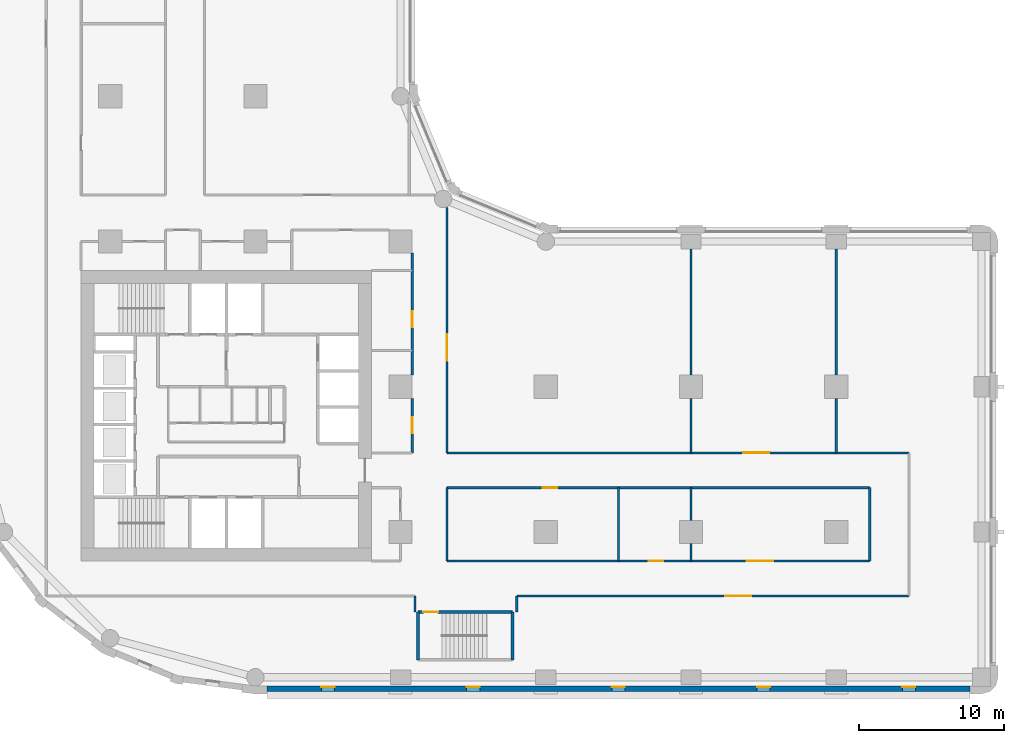
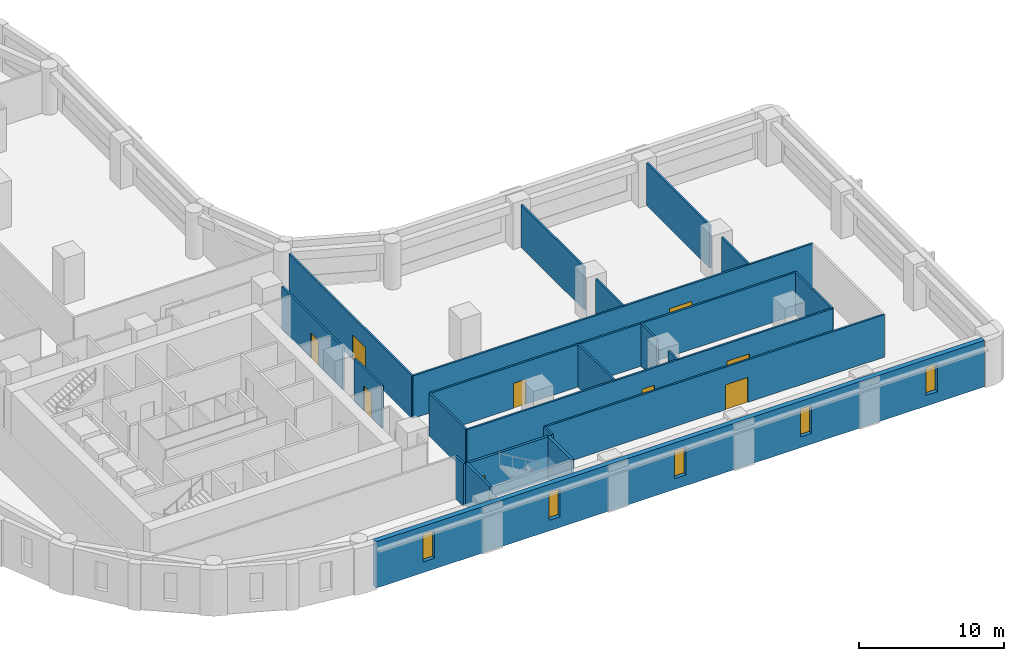
# One storey, part 4 of 10: 22 walls, 9 doors, 5 windows, 14 openings.
"""IFC4 building model written with IfcOpenShell, lengths in metres."""

from ifc_helpers import new_model, si_unit, direction, frame, frame_2d, origin, place, context, subcontext, project, spatial, rectangle, extrude, material, layer, layer_set, type_object, element, fill, save


model = new_model("IFC4")

# Units and contexts
model_context = context("Model", 3, precision=1e-05, world=origin(), true_north=direction((0.0, 1.0)))
body_context = subcontext(model_context, "Body", "Model", "MODEL_VIEW")
ifc_project = project(units=[si_unit("LENGTHUNIT", "METRE"), si_unit("AREAUNIT", "SQUARE_METRE"), si_unit("VOLUMEUNIT", "CUBIC_METRE"), si_unit("PLANEANGLEUNIT", "RADIAN"), si_unit("MASSUNIT", "GRAM", prefix="KILO")], contexts=[model_context])

# Site, building, storey
site_placement = place(None, origin())
site = spatial("IfcSite", under=ifc_project, at=site_placement, CompositionType="ELEMENT")
building_placement = place(site_placement, origin())
building = spatial("IfcBuilding", under=site, at=building_placement, Name="Qaws Garden Tower", CompositionType="ELEMENT")
storey_placement = place(building_placement, frame((0.0, 0.0, 35.39990234375)))
storey = spatial("IfcBuildingStorey", under=building, at=storey_placement, Name="L08", CompositionType="ELEMENT", Elevation=35.39990234375)

# Wall, openings, windows
ifc_material_1 = material(Name="Clay facing brick masonry", Category="masonry")
ifc_layer_1 = layer(ifc_material_1, 0.39990234375)
ifc_layer_set_1 = layer_set([ifc_layer_1], Name="Clay facing brick masonry")
wall_type_1 = type_object("IfcWallType", Name="Brick infill wall 400", PredefinedType="SOLIDWALL", material=ifc_layer_set_1)
wall_1_placement = place(storey_placement, frame((20.800048828125, -0.800048828125, 0.0), z_axis=(0.0, 0.0, 1.0), x_axis=(1.0, 0.0, 0.0)))
wall_1 = element("IfcWall", 1, at=wall_1_placement, inside=storey, type_object=wall_type_1, Name="E-L08-infill-00", PredefinedType="SOLIDWALL", context=body_context, shape_type="SweptSolid", body=[
    extrude(rectangle(XDim=48.39990234375, YDim=0.39990234375, at=frame_2d((24.199951171875, 0.0))), origin(), (0.0, 0.0, 1.0), 3.900146484375),
])
opening_1_placement = place(wall_1_placement, frame((3.75, 0.0, 0.89990234375)))
opening_1 = element("IfcOpeningElement", 2, at=opening_1_placement, cuts=wall_1, Name="Opening W09", PredefinedType="OPENING", context=body_context, shape_type="SweptSolid", body=[
    extrude(rectangle(XDim=0.89990234375, YDim=2.35009765625, at=frame_2d((0.449951171875, 1.175048828125))), frame((0.0, 0.2099609375, 0.0), z_axis=(0.0, -1.0, 0.0), x_axis=(1.0, 0.0, 0.0)), (0.0, 0.0, 1.0), 0.419921875),
])
opening_2_placement = place(wall_1_placement, frame((13.75, 0.0, 0.89990234375)))
opening_2 = element("IfcOpeningElement", 3, at=opening_2_placement, cuts=wall_1, Name="Opening W09", PredefinedType="OPENING", context=body_context, shape_type="SweptSolid", body=[
    extrude(rectangle(XDim=0.89990234375, YDim=2.35009765625, at=frame_2d((0.449951171875, 1.175048828125))), frame((0.0, 0.2099609375, 0.0), z_axis=(0.0, -1.0, 0.0), x_axis=(1.0, 0.0, 0.0)), (0.0, 0.0, 1.0), 0.419921875),
])
opening_3_placement = place(wall_1_placement, frame((23.75, 0.0, 0.89990234375)))
opening_3 = element("IfcOpeningElement", 4, at=opening_3_placement, cuts=wall_1, Name="Opening W09", PredefinedType="OPENING", context=body_context, shape_type="SweptSolid", body=[
    extrude(rectangle(XDim=0.89990234375, YDim=2.35009765625, at=frame_2d((0.449951171875, 1.175048828125))), frame((0.0, 0.2099609375, 0.0), z_axis=(0.0, -1.0, 0.0), x_axis=(1.0, 0.0, 0.0)), (0.0, 0.0, 1.0), 0.419921875),
])
opening_4_placement = place(wall_1_placement, frame((33.75, 0.0, 0.89990234375)))
opening_4 = element("IfcOpeningElement", 5, at=opening_4_placement, cuts=wall_1, Name="Opening W09", PredefinedType="OPENING", context=body_context, shape_type="SweptSolid", body=[
    extrude(rectangle(XDim=0.89990234375, YDim=2.35009765625, at=frame_2d((0.449951171875, 1.175048828125))), frame((0.0, 0.2099609375, 0.0), z_axis=(0.0, -1.0, 0.0), x_axis=(1.0, 0.0, 0.0)), (0.0, 0.0, 1.0), 0.419921875),
])
opening_5_placement = place(wall_1_placement, frame((43.75, 0.0, 0.89990234375)))
opening_5 = element("IfcOpeningElement", 6, at=opening_5_placement, cuts=wall_1, Name="Opening W09", PredefinedType="OPENING", context=body_context, shape_type="SweptSolid", body=[
    extrude(rectangle(XDim=0.89990234375, YDim=2.35009765625, at=frame_2d((0.449951171875, 1.175048828125))), frame((0.0, 0.2099609375, 0.0), z_axis=(0.0, -1.0, 0.0), x_axis=(1.0, 0.0, 0.0)), (0.0, 0.0, 1.0), 0.419921875),
])
ifc_material_2 = material(Name="Aluminium framed window, clear glazing", Category="aluminium")
window_type = type_object("IfcWindowType", Name="Slit window 900 x 2350", PartitioningType="SINGLE_PANEL", PredefinedType="WINDOW", material=ifc_material_2)
window_1_placement = place(opening_1_placement, origin())
window_1 = element("IfcWindow", 7, at=window_1_placement, inside=storey, type_object=window_type, Name="E-L08-window-00-0", OverallHeight=2.35009765625, OverallWidth=0.89990234375, PartitioningType="SINGLE_PANEL", PredefinedType="WINDOW", context=body_context, shape_type="SweptSolid", body=[
    extrude(rectangle(XDim=0.89990234375, YDim=2.35009765625, at=frame_2d((0.449951171875, 1.175048828125))), frame((0.0, 0.159912109375, 0.0), z_axis=(0.0, -1.0, 0.0), x_axis=(1.0, 0.0, 0.0)), (0.0, 0.0, 1.0), 0.06005859375),
])
fill(opening_1, window_1)
window_2_placement = place(opening_2_placement, origin())
window_2 = element("IfcWindow", 8, at=window_2_placement, inside=storey, type_object=window_type, Name="E-L08-window-01-0", OverallHeight=2.35009765625, OverallWidth=0.89990234375, PartitioningType="SINGLE_PANEL", PredefinedType="WINDOW", context=body_context, shape_type="SweptSolid", body=[
    extrude(rectangle(XDim=0.89990234375, YDim=2.35009765625, at=frame_2d((0.449951171875, 1.175048828125))), frame((0.0, 0.159912109375, 0.0), z_axis=(0.0, -1.0, 0.0), x_axis=(1.0, 0.0, 0.0)), (0.0, 0.0, 1.0), 0.06005859375),
])
fill(opening_2, window_2)
window_3_placement = place(opening_3_placement, origin())
window_3 = element("IfcWindow", 9, at=window_3_placement, inside=storey, type_object=window_type, Name="E-L08-window-02-0", OverallHeight=2.35009765625, OverallWidth=0.89990234375, PartitioningType="SINGLE_PANEL", PredefinedType="WINDOW", context=body_context, shape_type="SweptSolid", body=[
    extrude(rectangle(XDim=0.89990234375, YDim=2.35009765625, at=frame_2d((0.449951171875, 1.175048828125))), frame((0.0, 0.159912109375, 0.0), z_axis=(0.0, -1.0, 0.0), x_axis=(1.0, 0.0, 0.0)), (0.0, 0.0, 1.0), 0.06005859375),
])
fill(opening_3, window_3)
window_4_placement = place(opening_4_placement, origin())
window_4 = element("IfcWindow", 10, at=window_4_placement, inside=storey, type_object=window_type, Name="E-L08-window-03-0", OverallHeight=2.35009765625, OverallWidth=0.89990234375, PartitioningType="SINGLE_PANEL", PredefinedType="WINDOW", context=body_context, shape_type="SweptSolid", body=[
    extrude(rectangle(XDim=0.89990234375, YDim=2.35009765625, at=frame_2d((0.449951171875, 1.175048828125))), frame((0.0, 0.159912109375, 0.0), z_axis=(0.0, -1.0, 0.0), x_axis=(1.0, 0.0, 0.0)), (0.0, 0.0, 1.0), 0.06005859375),
])
fill(opening_4, window_4)
window_5_placement = place(opening_5_placement, origin())
window_5 = element("IfcWindow", 11, at=window_5_placement, inside=storey, type_object=window_type, Name="E-L08-window-04-0", OverallHeight=2.35009765625, OverallWidth=0.89990234375, PartitioningType="SINGLE_PANEL", PredefinedType="WINDOW", context=body_context, shape_type="SweptSolid", body=[
    extrude(rectangle(XDim=0.89990234375, YDim=2.35009765625, at=frame_2d((0.449951171875, 1.175048828125))), frame((0.0, 0.159912109375, 0.0), z_axis=(0.0, -1.0, 0.0), x_axis=(1.0, 0.0, 0.0)), (0.0, 0.0, 1.0), 0.06005859375),
])
fill(opening_5, window_5)

# Wall, opening, door
ifc_material_3 = material(Name="Concrete C80", Category="concrete")
ifc_layer_2 = layer(ifc_material_3, 0.199951171875)
ifc_layer_set_2 = layer_set([ifc_layer_2], Name="Concrete C80")
wall_type_2 = type_object("IfcWallType", Name="Core shaft wall 200 C80", PredefinedType="SHEAR", material=ifc_layer_set_2)
wall_2_placement = place(storey_placement, frame((31.199951171875, 4.5, 0.0), z_axis=(0.0, 0.0, 1.0), x_axis=(1.0, 0.0, 0.0)))
wall_2 = element("IfcWall", 12, at=wall_2_placement, inside=storey, type_object=wall_type_2, Name="Shaft wall", PredefinedType="SHEAR", context=body_context, shape_type="SweptSolid", body=[
    extrude(rectangle(XDim=6.5, YDim=0.199951171875, at=frame_2d((3.25, 0.0))), origin(), (0.0, 0.0, 1.0), 3.580078125),
])
opening_6_placement = place(wall_2_placement, frame((0.375, 0.0, 0.0)))
opening_6 = element("IfcOpeningElement", 13, at=opening_6_placement, cuts=wall_2, Name="Opening SD12", PredefinedType="OPENING", context=body_context, shape_type="SweptSolid", body=[
    extrude(rectangle(XDim=1.0, YDim=2.10009765625, at=frame_2d((0.5, 1.050048828125))), frame((0.0, 0.10986328125, 0.0), z_axis=(0.0, -1.0, 0.0), x_axis=(1.0, 0.0, 0.0)), (0.0, 0.0, 1.0), 0.219970703125),
])
ifc_material_4 = material(Name="Steel S235", Category="steel")
door_type_1 = type_object("IfcDoorType", Name="Stair door 1000x2100", OperationType="SINGLE_SWING_RIGHT", PredefinedType="DOOR", material=ifc_material_4)
door_1_placement = place(opening_6_placement, frame((1.0, 0.0, 0.0), z_axis=(0.0, 0.0, 1.0), x_axis=(-1.0, 0.0, 0.0)))
door_1 = element("IfcDoor", 14, at=door_1_placement, inside=storey, type_object=door_type_1, Name="Stair 5 door", OperationType="SINGLE_SWING_RIGHT", OverallHeight=2.10009765625, OverallWidth=1.0, PredefinedType="DOOR", context=body_context, shape_type="SweptSolid", body=[
    extrude(rectangle(XDim=1.0, YDim=2.10009765625, at=frame_2d((0.5, 1.050048828125))), frame((0.0, 0.02490234375, 0.0), z_axis=(0.0, -1.0, 0.0), x_axis=(1.0, 0.0, 0.0)), (0.0, 0.0, 1.0), 0.050048828125),
])
fill(opening_6, door_1)

# Walls
for number, where, z_axis, x_axis, name in (
    (15, (31.199951171875, 1.199951171875, 0.0), (0.0, 0.0, 1.0), (0.0, 1.0, 0.0), "Shaft wall"),
    (16, (37.699951171875, 1.199951171875, 0.0), (0.0, 0.0, 1.0), (0.0, 1.0, 0.0), "Shaft wall"),
):
    element("IfcWall", number, at=place(storey_placement, frame(where, z_axis=z_axis, x_axis=x_axis)), inside=storey, type_object=wall_type_2, Name=name, PredefinedType="SHEAR", context=body_context, shape_type="SweptSolid", body=[
        extrude(rectangle(XDim=3.300048828125, YDim=0.199951171875, at=frame_2d((1.64990234375, 0.0))), origin(), (0.0, 0.0, 1.0), 3.580078125),
    ])

# Wall, opening, door
ifc_material_5 = material(Name="Gypsum board partition")
ifc_layer_3 = layer(ifc_material_5, 0.14990234375)
ifc_layer_set_3 = layer_set([ifc_layer_3], Name="Gypsum board partition")
wall_type_3 = type_object("IfcWallType", Name="PARTITION 150 EI 60", PredefinedType="PARTITIONING", material=ifc_layer_set_3)
wall_3_placement = place(storey_placement, frame((30.800048828125, 15.449951171875, 0.0), z_axis=(0.0, 0.0, 1.0), x_axis=(0.0, 1.0, 0.0)))
wall_3 = element("IfcWall", 17, at=wall_3_placement, inside=storey, type_object=wall_type_3, Name="O-L08-wall-016", PredefinedType="PARTITIONING", context=body_context, shape_type="SweptSolid", body=[
    extrude(rectangle(XDim=3.75, YDim=0.14990234375, at=frame_2d((1.875, 0.0))), origin(), (0.0, 0.0, 1.0), 3.580078125),
])
opening_7_placement = place(wall_3_placement, frame((1.35009765625, 0.0, 0.0)))
opening_7 = element("IfcOpeningElement", 18, at=opening_7_placement, cuts=wall_3, Name="Opening A318", PredefinedType="OPENING", context=body_context, shape_type="SweptSolid", body=[
    extrude(rectangle(XDim=1.10009765625, YDim=2.10009765625, at=frame_2d((0.550048828125, 1.050048828125))), frame((0.0, 0.0849609375, 0.0), z_axis=(0.0, -1.0, 0.0), x_axis=(1.0, 0.0, 0.0)), (0.0, 0.0, 1.0), 0.169921875),
])
ifc_material_6 = material(Name="Timber door leaf", Category="wood")
door_type_2 = type_object("IfcDoorType", Name="SERVICE ROOM DOOR 1100 X 2100", OperationType="SINGLE_SWING_LEFT", PredefinedType="DOOR", material=ifc_material_6)
door_2_placement = place(opening_7_placement, origin())
door_2 = element("IfcDoor", 19, at=door_2_placement, inside=storey, type_object=door_type_2, Name="O-L08-door-018", OperationType="SINGLE_SWING_RIGHT", OverallHeight=2.10009765625, OverallWidth=1.10009765625, PredefinedType="DOOR", context=body_context, shape_type="SweptSolid", body=[
    extrude(rectangle(XDim=1.10009765625, YDim=2.10009765625, at=frame_2d((0.550048828125, 1.050048828125))), frame((0.0, 0.02490234375, 0.0), z_axis=(0.0, -1.0, 0.0), x_axis=(1.0, 0.0, 0.0)), (0.0, 0.0, 1.0), 0.050048828125),
])
fill(opening_7, door_2)

wall_4_placement = place(storey_placement, frame((30.800048828125, 20.800048828125, 0.0), z_axis=(0.0, 0.0, 1.0), x_axis=(0.0, 1.0, 0.0)))
wall_4 = element("IfcWall", 20, at=wall_4_placement, inside=storey, type_object=wall_type_3, Name="O-L08-wall-017", PredefinedType="PARTITIONING", context=body_context, shape_type="SweptSolid", body=[
    extrude(rectangle(XDim=8.39990234375, YDim=0.14990234375, at=frame_2d((4.199951171875, 0.0))), origin(), (0.0, 0.0, 1.0), 3.580078125),
])
opening_8_placement = place(wall_4_placement, frame((3.300048828125, 0.0, 0.0)))
opening_8 = element("IfcOpeningElement", 21, at=opening_8_placement, cuts=wall_4, Name="Opening A319", PredefinedType="OPENING", context=body_context, shape_type="SweptSolid", body=[
    extrude(rectangle(XDim=1.10009765625, YDim=2.10009765625, at=frame_2d((0.550048828125, 1.050048828125))), frame((0.0, 0.0849609375, 0.0), z_axis=(0.0, -1.0, 0.0), x_axis=(1.0, 0.0, 0.0)), (0.0, 0.0, 1.0), 0.169921875),
])
door_3_placement = place(opening_8_placement, origin())
door_3 = element("IfcDoor", 22, at=door_3_placement, inside=storey, type_object=door_type_2, Name="O-L08-door-019", OperationType="SINGLE_SWING_RIGHT", OverallHeight=2.10009765625, OverallWidth=1.10009765625, PredefinedType="DOOR", context=body_context, shape_type="SweptSolid", body=[
    extrude(rectangle(XDim=1.10009765625, YDim=2.10009765625, at=frame_2d((0.550048828125, 1.050048828125))), frame((0.0, 0.02490234375, 0.0), z_axis=(0.0, -1.0, 0.0), x_axis=(1.0, 0.0, 0.0)), (0.0, 0.0, 1.0), 0.050048828125),
])
fill(opening_8, door_3)

# Walls
wall_5_placement = place(storey_placement, frame((31.0, 4.5, 0.0), z_axis=(0.0, 0.0, 1.0), x_axis=(0.0, 1.0, 0.0)))
element("IfcWall", 23, at=wall_5_placement, inside=storey, type_object=wall_type_3, Name="O-L08-wall-018", PredefinedType="PARTITIONING", context=body_context, shape_type="SweptSolid", body=[
    extrude(rectangle(XDim=1.10009765625, YDim=0.14990234375, at=frame_2d((0.550048828125, 0.0))), origin(), (0.0, 0.0, 1.0), 3.580078125),
])
wall_6_placement = place(storey_placement, frame((33.199951171875, 8.0, 0.0), z_axis=(0.0, 0.0, 1.0), x_axis=(0.0, 1.0, 0.0)))
element("IfcWall", 24, at=wall_6_placement, inside=storey, type_object=wall_type_3, Name="O-L08-wall-019", PredefinedType="PARTITIONING", context=body_context, shape_type="SweptSolid", body=[
    extrude(rectangle(XDim=5.050048828125, YDim=0.14990234375, at=frame_2d((2.52490234375, 0.0))), origin(), (0.0, 0.0, 1.0), 3.580078125),
])

# Wall, opening, door
wall_7_placement = place(storey_placement, frame((33.199951171875, 15.449951171875, 0.0), z_axis=(0.0, 0.0, 1.0), x_axis=(0.0, 1.0, 0.0)))
wall_7 = element("IfcWall", 25, at=wall_7_placement, inside=storey, type_object=wall_type_3, Name="O-L08-wall-020", PredefinedType="PARTITIONING", context=body_context, shape_type="SweptSolid", body=[
    extrude(rectangle(XDim=16.912109375, YDim=0.14990234375, at=frame_2d((8.4560546875, 0.0))), origin(), (0.0, 0.0, 1.0), 3.580078125),
])
opening_9_placement = place(wall_7_placement, frame((6.35009765625, 0.0, 0.0)))
opening_9 = element("IfcOpeningElement", 26, at=opening_9_placement, cuts=wall_7, Name="Opening A315", PredefinedType="OPENING", context=body_context, shape_type="SweptSolid", body=[
    extrude(rectangle(XDim=1.800048828125, YDim=2.10009765625, at=frame_2d((0.89990234375, 1.050048828125))), frame((0.0, 0.0849609375, 0.0), z_axis=(0.0, -1.0, 0.0), x_axis=(1.0, 0.0, 0.0)), (0.0, 0.0, 1.0), 0.169921875),
])
ifc_material_7 = material(Name="Timber door leaf", Category="wood")
door_type_3 = type_object("IfcDoorType", Name="DOUBLE DOOR 1800 X 2100", OperationType="DOUBLE_DOOR_SINGLE_SWING", PredefinedType="DOOR", material=ifc_material_7)
door_4_placement = place(opening_9_placement, frame((1.800048828125, 0.0, 0.0), z_axis=(0.0, 0.0, 1.0), x_axis=(-1.0, 0.0, 0.0)))
door_4 = element("IfcDoor", 27, at=door_4_placement, inside=storey, type_object=door_type_3, Name="O-L08-door-015", OperationType="DOUBLE_DOOR_SINGLE_SWING", OverallHeight=2.10009765625, OverallWidth=1.800048828125, PredefinedType="DOOR", context=body_context, shape_type="SweptSolid", body=[
    extrude(rectangle(XDim=1.800048828125, YDim=2.10009765625, at=frame_2d((0.89990234375, 1.050048828125))), frame((0.0, 0.02490234375, 0.0), z_axis=(0.0, -1.0, 0.0), x_axis=(1.0, 0.0, 0.0)), (0.0, 0.0, 1.0), 0.050048828125),
])
fill(opening_9, door_4)

# Walls
wall_8_placement = place(storey_placement, frame((38.0, 4.5, 0.0), z_axis=(0.0, 0.0, 1.0), x_axis=(0.0, 1.0, 0.0)))
element("IfcWall", 28, at=wall_8_placement, inside=storey, type_object=wall_type_3, Name="O-L08-wall-021", PredefinedType="PARTITIONING", context=body_context, shape_type="SweptSolid", body=[
    extrude(rectangle(XDim=1.10009765625, YDim=0.14990234375, at=frame_2d((0.550048828125, 0.0))), origin(), (0.0, 0.0, 1.0), 3.580078125),
])
wall_9_placement = place(storey_placement, frame((45.0, 8.0, 0.0), z_axis=(0.0, 0.0, 1.0), x_axis=(0.0, 1.0, 0.0)))
element("IfcWall", 29, at=wall_9_placement, inside=storey, type_object=wall_type_3, Name="O-L08-wall-022", PredefinedType="PARTITIONING", context=body_context, shape_type="SweptSolid", body=[
    extrude(rectangle(XDim=5.050048828125, YDim=0.14990234375, at=frame_2d((2.52490234375, 0.0))), origin(), (0.0, 0.0, 1.0), 3.580078125),
])
wall_10_placement = place(storey_placement, frame((50.0, 8.0, 0.0), z_axis=(0.0, 0.0, 1.0), x_axis=(0.0, 1.0, 0.0)))
element("IfcWall", 30, at=wall_10_placement, inside=storey, type_object=wall_type_3, Name="O-L08-wall-023", PredefinedType="PARTITIONING", context=body_context, shape_type="SweptSolid", body=[
    extrude(rectangle(XDim=1.199951171875, YDim=0.14990234375, at=frame_2d((0.60009765625, 0.0))), origin(), (0.0, 0.0, 1.0), 3.580078125),
])
wall_11_placement = place(storey_placement, frame((50.0, 10.800048828125, 0.0), z_axis=(0.0, 0.0, 1.0), x_axis=(0.0, 1.0, 0.0)))
element("IfcWall", 31, at=wall_11_placement, inside=storey, type_object=wall_type_3, Name="O-L08-wall-024", PredefinedType="PARTITIONING", context=body_context, shape_type="SweptSolid", body=[
    extrude(rectangle(XDim=2.25, YDim=0.14990234375, at=frame_2d((1.125, 0.0))), origin(), (0.0, 0.0, 1.0), 3.580078125),
])
wall_12_placement = place(storey_placement, frame((50.0, 15.449951171875, 0.0), z_axis=(0.0, 0.0, 1.0), x_axis=(0.0, 1.0, 0.0)))
element("IfcWall", 32, at=wall_12_placement, inside=storey, type_object=wall_type_3, Name="O-L08-wall-025", PredefinedType="PARTITIONING", context=body_context, shape_type="SweptSolid", body=[
    extrude(rectangle(XDim=3.75, YDim=0.14990234375, at=frame_2d((1.875, 0.0))), origin(), (0.0, 0.0, 1.0), 3.580078125),
])
wall_13_placement = place(storey_placement, frame((50.0, 20.800048828125, 0.0), z_axis=(0.0, 0.0, 1.0), x_axis=(0.0, 1.0, 0.0)))
element("IfcWall", 33, at=wall_13_placement, inside=storey, type_object=wall_type_3, Name="O-L08-wall-026", PredefinedType="PARTITIONING", context=body_context, shape_type="SweptSolid", body=[
    extrude(rectangle(XDim=8.699951171875, YDim=0.14990234375, at=frame_2d((4.35009765625, 0.0))), origin(), (0.0, 0.0, 1.0), 3.580078125),
])
wall_14_placement = place(storey_placement, frame((60.0, 15.449951171875, 0.0), z_axis=(0.0, 0.0, 1.0), x_axis=(0.0, 1.0, 0.0)))
element("IfcWall", 34, at=wall_14_placement, inside=storey, type_object=wall_type_3, Name="O-L08-wall-027", PredefinedType="PARTITIONING", context=body_context, shape_type="SweptSolid", body=[
    extrude(rectangle(XDim=3.75, YDim=0.14990234375, at=frame_2d((1.875, 0.0))), origin(), (0.0, 0.0, 1.0), 3.580078125),
])
wall_15_placement = place(storey_placement, frame((60.0, 20.800048828125, 0.0), z_axis=(0.0, 0.0, 1.0), x_axis=(0.0, 1.0, 0.0)))
element("IfcWall", 35, at=wall_15_placement, inside=storey, type_object=wall_type_3, Name="O-L08-wall-028", PredefinedType="PARTITIONING", context=body_context, shape_type="SweptSolid", body=[
    extrude(rectangle(XDim=8.699951171875, YDim=0.14990234375, at=frame_2d((4.35009765625, 0.0))), origin(), (0.0, 0.0, 1.0), 3.580078125),
])
wall_16_placement = place(storey_placement, frame((62.300048828125, 8.0, 0.0), z_axis=(0.0, 0.0, 1.0), x_axis=(0.0, 1.0, 0.0)))
element("IfcWall", 36, at=wall_16_placement, inside=storey, type_object=wall_type_3, Name="O-L08-wall-029", PredefinedType="PARTITIONING", context=body_context, shape_type="SweptSolid", body=[
    extrude(rectangle(XDim=5.050048828125, YDim=0.14990234375, at=frame_2d((2.52490234375, 0.0))), origin(), (0.0, 0.0, 1.0), 3.580078125),
])

# Wall, opening, door
wall_17_placement = place(storey_placement, frame((38.0, 5.60009765625, 0.0), z_axis=(0.0, 0.0, 1.0), x_axis=(1.0, 0.0, 0.0)))
wall_17 = element("IfcWall", 37, at=wall_17_placement, inside=storey, type_object=wall_type_3, Name="O-L08-wall-032", PredefinedType="PARTITIONING", context=body_context, shape_type="SweptSolid", body=[
    extrude(rectangle(XDim=27.0, YDim=0.14990234375, at=frame_2d((13.5, 0.0))), origin(), (0.0, 0.0, 1.0), 3.580078125),
])
opening_10_placement = place(wall_17_placement, frame((14.35009765625, 0.0, 0.0)))
opening_10 = element("IfcOpeningElement", 38, at=opening_10_placement, cuts=wall_17, Name="Opening A302", PredefinedType="OPENING", context=body_context, shape_type="SweptSolid", body=[
    extrude(rectangle(XDim=1.800048828125, YDim=2.10009765625, at=frame_2d((0.89990234375, 1.050048828125))), frame((0.0, 0.0849609375, 0.0), z_axis=(0.0, -1.0, 0.0), x_axis=(1.0, 0.0, 0.0)), (0.0, 0.0, 1.0), 0.169921875),
])
door_5_placement = place(opening_10_placement, frame((1.800048828125, 0.0, 0.0), z_axis=(0.0, 0.0, 1.0), x_axis=(-1.0, 0.0, 0.0)))
door_5 = element("IfcDoor", 39, at=door_5_placement, inside=storey, type_object=door_type_3, Name="O-L08-door-002", OperationType="DOUBLE_DOOR_SINGLE_SWING", OverallHeight=2.10009765625, OverallWidth=1.800048828125, PredefinedType="DOOR", context=body_context, shape_type="SweptSolid", body=[
    extrude(rectangle(XDim=1.800048828125, YDim=2.10009765625, at=frame_2d((0.89990234375, 1.050048828125))), frame((0.0, 0.02490234375, 0.0), z_axis=(0.0, -1.0, 0.0), x_axis=(1.0, 0.0, 0.0)), (0.0, 0.0, 1.0), 0.050048828125),
])
fill(opening_10, door_5)

# Wall, openings, doors
wall_18_placement = place(storey_placement, frame((33.199951171875, 8.0, 0.0), z_axis=(0.0, 0.0, 1.0), x_axis=(1.0, 0.0, 0.0)))
wall_18 = element("IfcWall", 40, at=wall_18_placement, inside=storey, type_object=wall_type_3, Name="O-L08-wall-034", PredefinedType="PARTITIONING", context=body_context, shape_type="SweptSolid", body=[
    extrude(rectangle(XDim=29.10009765625, YDim=0.14990234375, at=frame_2d((14.550048828125, 0.0))), origin(), (0.0, 0.0, 1.0), 3.580078125),
])
opening_11_placement = place(wall_18_placement, frame((13.89990234375, 0.0, 0.0)))
opening_11 = element("IfcOpeningElement", 41, at=opening_11_placement, cuts=wall_18, Name="Opening A313", PredefinedType="OPENING", context=body_context, shape_type="SweptSolid", body=[
    extrude(rectangle(XDim=1.0, YDim=2.10009765625, at=frame_2d((0.5, 1.050048828125))), frame((0.0, 0.0849609375, 0.0), z_axis=(0.0, -1.0, 0.0), x_axis=(1.0, 0.0, 0.0)), (0.0, 0.0, 1.0), 0.169921875),
])
opening_12_placement = place(wall_18_placement, frame((20.64990234375, 0.0, 0.0)))
opening_12 = element("IfcOpeningElement", 42, at=opening_12_placement, cuts=wall_18, Name="Opening A314", PredefinedType="OPENING", context=body_context, shape_type="SweptSolid", body=[
    extrude(rectangle(XDim=1.800048828125, YDim=2.10009765625, at=frame_2d((0.89990234375, 1.050048828125))), frame((0.0, 0.0849609375, 0.0), z_axis=(0.0, -1.0, 0.0), x_axis=(1.0, 0.0, 0.0)), (0.0, 0.0, 1.0), 0.169921875),
])
door_6_placement = place(opening_12_placement, origin())
door_6 = element("IfcDoor", 43, at=door_6_placement, inside=storey, type_object=door_type_3, Name="O-L08-door-014", OperationType="DOUBLE_DOOR_SINGLE_SWING", OverallHeight=2.10009765625, OverallWidth=1.800048828125, PredefinedType="DOOR", context=body_context, shape_type="SweptSolid", body=[
    extrude(rectangle(XDim=1.800048828125, YDim=2.10009765625, at=frame_2d((0.89990234375, 1.050048828125))), frame((0.0, 0.02490234375, 0.0), z_axis=(0.0, -1.0, 0.0), x_axis=(1.0, 0.0, 0.0)), (0.0, 0.0, 1.0), 0.050048828125),
])
fill(opening_12, door_6)
ifc_material_8 = material(Name="Timber door leaf", Category="wood")
door_type_4 = type_object("IfcDoorType", Name="TENANCY ENTRANCE DOOR 1000 X 2100", OperationType="SINGLE_SWING_LEFT", PredefinedType="DOOR", material=ifc_material_8)
door_7_placement = place(opening_11_placement, origin())
door_7 = element("IfcDoor", 44, at=door_7_placement, inside=storey, type_object=door_type_4, Name="O-L08-door-013", OperationType="SINGLE_SWING_LEFT", OverallHeight=2.10009765625, OverallWidth=1.0, PredefinedType="DOOR", context=body_context, shape_type="SweptSolid", body=[
    extrude(rectangle(XDim=1.0, YDim=2.10009765625, at=frame_2d((0.5, 1.050048828125))), frame((0.0, 0.02490234375, 0.0), z_axis=(0.0, -1.0, 0.0), x_axis=(1.0, 0.0, 0.0)), (0.0, 0.0, 1.0), 0.050048828125),
])
fill(opening_11, door_7)

# Wall, opening, door
wall_19_placement = place(storey_placement, frame((33.199951171875, 13.050048828125, 0.0), z_axis=(0.0, 0.0, 1.0), x_axis=(1.0, 0.0, 0.0)))
wall_19 = element("IfcWall", 45, at=wall_19_placement, inside=storey, type_object=wall_type_3, Name="O-L08-wall-036", PredefinedType="PARTITIONING", context=body_context, shape_type="SweptSolid", body=[
    extrude(rectangle(XDim=29.10009765625, YDim=0.14990234375, at=frame_2d((14.550048828125, 0.0))), origin(), (0.0, 0.0, 1.0), 3.580078125),
])
opening_13_placement = place(wall_19_placement, frame((6.60009765625, 0.0, 0.0)))
opening_13 = element("IfcOpeningElement", 46, at=opening_13_placement, cuts=wall_19, Name="Opening A312", PredefinedType="OPENING", context=body_context, shape_type="SweptSolid", body=[
    extrude(rectangle(XDim=1.0, YDim=2.10009765625, at=frame_2d((0.5, 1.050048828125))), frame((0.0, 0.0849609375, 0.0), z_axis=(0.0, -1.0, 0.0), x_axis=(1.0, 0.0, 0.0)), (0.0, 0.0, 1.0), 0.169921875),
])
door_8_placement = place(opening_13_placement, frame((1.0, 0.0, 0.0), z_axis=(0.0, 0.0, 1.0), x_axis=(-1.0, 0.0, 0.0)))
door_8 = element("IfcDoor", 47, at=door_8_placement, inside=storey, type_object=door_type_4, Name="O-L08-door-012", OperationType="SINGLE_SWING_RIGHT", OverallHeight=2.10009765625, OverallWidth=1.0, PredefinedType="DOOR", context=body_context, shape_type="SweptSolid", body=[
    extrude(rectangle(XDim=1.0, YDim=2.10009765625, at=frame_2d((0.5, 1.050048828125))), frame((0.0, 0.02490234375, 0.0), z_axis=(0.0, -1.0, 0.0), x_axis=(1.0, 0.0, 0.0)), (0.0, 0.0, 1.0), 0.050048828125),
])
fill(opening_13, door_8)

wall_20_placement = place(storey_placement, frame((33.199951171875, 15.449951171875, 0.0), z_axis=(0.0, 0.0, 1.0), x_axis=(1.0, 0.0, 0.0)))
wall_20 = element("IfcWall", 48, at=wall_20_placement, inside=storey, type_object=wall_type_3, Name="O-L08-wall-038", PredefinedType="PARTITIONING", context=body_context, shape_type="SweptSolid", body=[
    extrude(rectangle(XDim=31.800048828125, YDim=0.14990234375, at=frame_2d((15.89990234375, 0.0))), origin(), (0.0, 0.0, 1.0), 3.580078125),
])
opening_14_placement = place(wall_20_placement, frame((20.39990234375, 0.0, 0.0)))
opening_14 = element("IfcOpeningElement", 49, at=opening_14_placement, cuts=wall_20, Name="Opening A316", PredefinedType="OPENING", context=body_context, shape_type="SweptSolid", body=[
    extrude(rectangle(XDim=1.800048828125, YDim=2.10009765625, at=frame_2d((0.89990234375, 1.050048828125))), frame((0.0, 0.0849609375, 0.0), z_axis=(0.0, -1.0, 0.0), x_axis=(1.0, 0.0, 0.0)), (0.0, 0.0, 1.0), 0.169921875),
])
door_9_placement = place(opening_14_placement, origin())
door_9 = element("IfcDoor", 50, at=door_9_placement, inside=storey, type_object=door_type_3, Name="O-L08-door-016", OperationType="DOUBLE_DOOR_SINGLE_SWING", OverallHeight=2.10009765625, OverallWidth=1.800048828125, PredefinedType="DOOR", context=body_context, shape_type="SweptSolid", body=[
    extrude(rectangle(XDim=1.800048828125, YDim=2.10009765625, at=frame_2d((0.89990234375, 1.050048828125))), frame((0.0, 0.02490234375, 0.0), z_axis=(0.0, -1.0, 0.0), x_axis=(1.0, 0.0, 0.0)), (0.0, 0.0, 1.0), 0.050048828125),
])
fill(opening_14, door_9)

save(model, "model.ifc")
